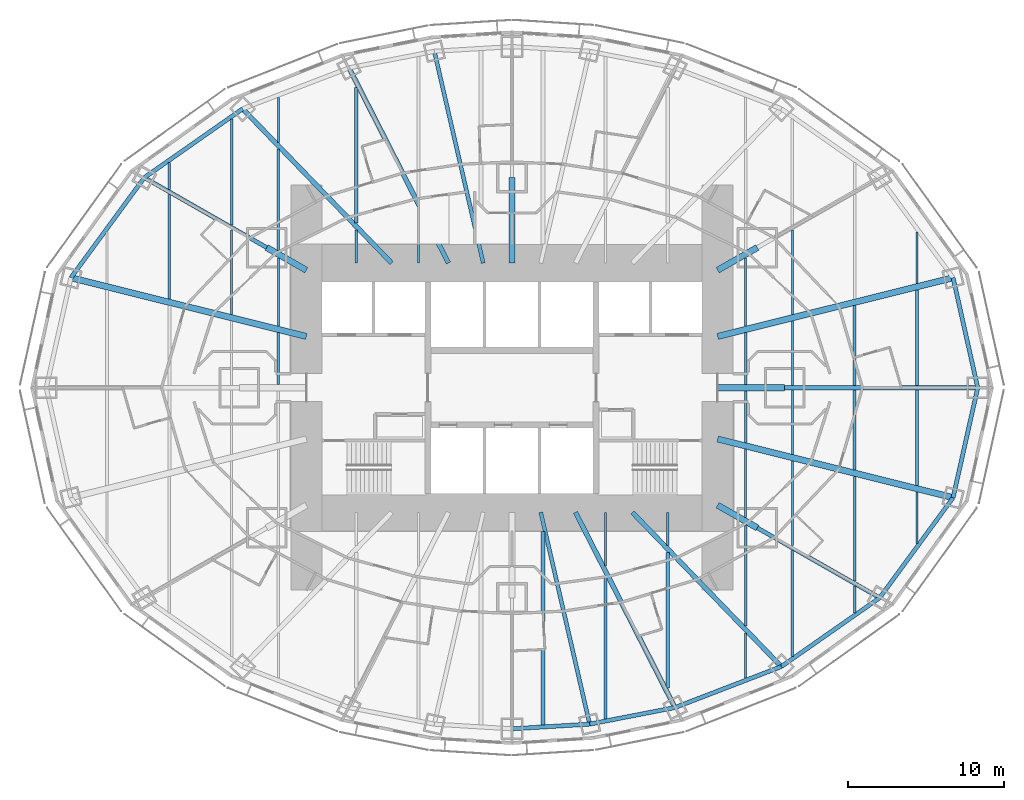
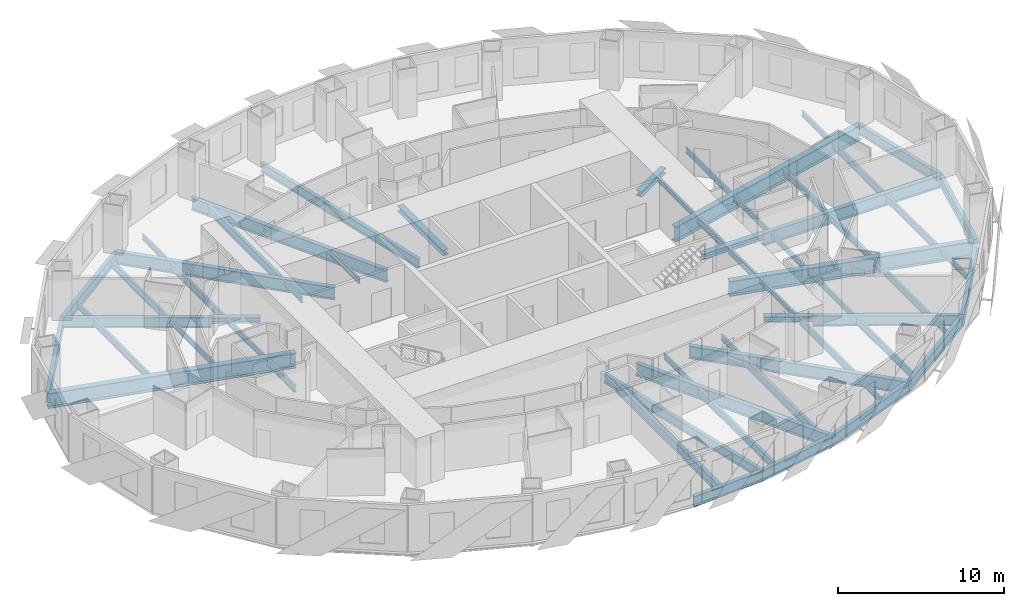
# One storey, part 2 of 15: 61 beams.
"""IFC4 building model written with IfcOpenShell, lengths in metres."""

from ifc_helpers import new_model, si_unit, direction, frame, origin, origin_2d, place, context, subcontext, project, spatial, i_section, extrude, material, material_profile, profile_set, type_object, element, save


model = new_model("IFC4")

# Units and contexts
model_context = context("Model", 3, precision=1e-05, world=origin(), true_north=direction((0.0, 1.0)))
body_context = subcontext(model_context, "Body", "Model", "MODEL_VIEW")
ifc_project = project(units=[si_unit("LENGTHUNIT", "METRE"), si_unit("AREAUNIT", "SQUARE_METRE"), si_unit("VOLUMEUNIT", "CUBIC_METRE"), si_unit("PLANEANGLEUNIT", "RADIAN"), si_unit("MASSUNIT", "GRAM", prefix="KILO")], contexts=[model_context])

# Site, building, storey
site_placement = place(None, origin())
site = spatial("IfcSite", under=ifc_project, at=site_placement, CompositionType="ELEMENT")
building_placement = place(site_placement, origin())
building = spatial("IfcBuilding", under=site, at=building_placement, Name="Lantaw Convention Tower", CompositionType="ELEMENT")
storey_placement = place(building_placement, frame((0.0, 0.0, 87.39990234375)))
storey = spatial("IfcBuildingStorey", under=building, at=storey_placement, Name="L20", CompositionType="ELEMENT", Elevation=87.39990234375)

# Beams
ifc_material = material(Name="Steel ASTM A992", Category="steel")
ifc_material_profile_1 = material_profile(ifc_material, i_section(OverallWidth=0.2666015625, OverallDepth=0.76953125, WebThickness=0.015625, FlangeThickness=0.025390625, FilletRadius=0.0126953125, at=origin_2d()), Name="W30X132")
ifc_profile_set_1 = profile_set([ifc_material_profile_1], Name="Steel ASTM A992")
beam_type_1 = type_object("IfcBeamType", Name="Beam E W30X132", PredefinedType="SPANDREL", material=ifc_profile_set_1)
beam_1_placement = place(storey_placement, frame((29.89990234375, 0.0, -0.53466796875), z_axis=(-0.218652184873, 0.975802860239, 0.0), x_axis=(-0.975802860239, -0.218652184873, 0.0)))
element("IfcBeam", 1, at=beam_1_placement, inside=storey, type_object=beam_type_1, Name="Edge beam 1", PredefinedType="SPANDREL", context=body_context, shape_type="SweptSolid", body=[
    extrude(i_section(OverallWidth=0.2666015625, OverallDepth=0.76953125, WebThickness=0.015625, FlangeThickness=0.025390625, FilletRadius=0.0126953125, at=origin_2d()), origin(), (0.0, 0.0, 1.0), 7.2353515625),
])
beam_2_placement = place(storey_placement, frame((-17.290771484375, 17.9052734375, -0.53466796875), z_axis=(-0.81942686407, -0.57318375277, 0.0), x_axis=(0.57318375277, -0.81942686407, 0.0)))
element("IfcBeam", 2, at=beam_2_placement, inside=storey, type_object=beam_type_1, Name="Edge beam 10", PredefinedType="SPANDREL", context=body_context, shape_type="SweptSolid", body=[
    extrude(i_section(OverallWidth=0.2666015625, OverallDepth=0.76953125, WebThickness=0.015625, FlangeThickness=0.025390625, FilletRadius=0.0126953125, at=origin_2d()), origin(), (0.0, 0.0, 1.0), 7.70556640625),
])
beam_3_placement = place(storey_placement, frame((-23.60498046875, 13.488525390625, -0.53466796875), z_axis=(-0.591270709086, -0.806473154281, 0.0), x_axis=(0.806473154281, -0.591270709086, 0.0)))
element("IfcBeam", 3, at=beam_3_placement, inside=storey, type_object=beam_type_1, Name="Edge beam 11", PredefinedType="SPANDREL", context=body_context, shape_type="SweptSolid", body=[
    extrude(i_section(OverallWidth=0.2666015625, OverallDepth=0.76953125, WebThickness=0.015625, FlangeThickness=0.025390625, FilletRadius=0.0126953125, at=origin_2d()), origin(), (0.0, 0.0, 1.0), 7.970703125),
])
beam_4_placement = place(storey_placement, frame((0.0, -21.89990234375, -0.53466796875), z_axis=(0.998173858406, 0.060406526096, 0.0), x_axis=(-0.060406526096, 0.998173858406, 0.0)))
element("IfcBeam", 4, at=beam_4_placement, inside=storey, type_object=beam_type_1, Name="Edge beam 19", PredefinedType="SPANDREL", context=body_context, shape_type="SweptSolid", body=[
    extrude(i_section(OverallWidth=0.2666015625, OverallDepth=0.76953125, WebThickness=0.015625, FlangeThickness=0.025390625, FilletRadius=0.0126953125, at=origin_2d()), origin(), (0.0, 0.0, 1.0), 4.995361328125),
])
beam_5_placement = place(storey_placement, frame((4.986328125, -21.59814453125, -0.53466796875), z_axis=(0.981636565323, 0.190760723474, 0.0), x_axis=(-0.190760723474, 0.981636565323, 0.0)))
element("IfcBeam", 5, at=beam_5_placement, inside=storey, type_object=beam_type_1, Name="Edge beam 20", PredefinedType="SPANDREL", context=body_context, shape_type="SweptSolid", body=[
    extrude(i_section(OverallWidth=0.2666015625, OverallDepth=0.76953125, WebThickness=0.015625, FlangeThickness=0.025390625, FilletRadius=0.0126953125, at=origin_2d()), origin(), (0.0, 0.0, 1.0), 5.578857421875),
])
beam_6_placement = place(storey_placement, frame((10.462646484375, -20.533935546875, -0.53466796875), z_axis=(0.933232900641, 0.359271976588, 0.0), x_axis=(-0.359271976588, 0.933232900641, 0.0)))
element("IfcBeam", 6, at=beam_6_placement, inside=storey, type_object=beam_type_1, Name="Edge beam 21", PredefinedType="SPANDREL", context=body_context, shape_type="SweptSolid", body=[
    extrude(i_section(OverallWidth=0.2666015625, OverallDepth=0.76953125, WebThickness=0.015625, FlangeThickness=0.025390625, FilletRadius=0.0126953125, at=origin_2d()), origin(), (0.0, 0.0, 1.0), 7.316650390625),
])
beam_7_placement = place(storey_placement, frame((17.290771484375, -17.9052734375, -0.53466796875), z_axis=(0.81942686407, 0.57318375277, 0.0), x_axis=(-0.57318375277, 0.81942686407, 0.0)))
element("IfcBeam", 7, at=beam_7_placement, inside=storey, type_object=beam_type_1, Name="Edge beam 22", PredefinedType="SPANDREL", context=body_context, shape_type="SweptSolid", body=[
    extrude(i_section(OverallWidth=0.2666015625, OverallDepth=0.76953125, WebThickness=0.015625, FlangeThickness=0.025390625, FilletRadius=0.0126953125, at=origin_2d()), origin(), (0.0, 0.0, 1.0), 7.70556640625),
])
beam_8_placement = place(storey_placement, frame((23.60498046875, -13.488525390625, -0.53466796875), z_axis=(0.591270709086, 0.806473154281, 0.0), x_axis=(-0.806473154281, 0.591270709086, 0.0)))
element("IfcBeam", 8, at=beam_8_placement, inside=storey, type_object=beam_type_1, Name="Edge beam 23", PredefinedType="SPANDREL", context=body_context, shape_type="SweptSolid", body=[
    extrude(i_section(OverallWidth=0.2666015625, OverallDepth=0.76953125, WebThickness=0.015625, FlangeThickness=0.025390625, FilletRadius=0.0126953125, at=origin_2d()), origin(), (0.0, 0.0, 1.0), 7.970703125),
])
beam_9_placement = place(storey_placement, frame((28.31787109375, -7.060302734375, -0.53466796875), z_axis=(0.218652184873, 0.975802860239, 0.0), x_axis=(-0.975802860239, 0.218652184873, 0.0)))
element("IfcBeam", 9, at=beam_9_placement, inside=storey, type_object=beam_type_1, Name="Edge beam 24", PredefinedType="SPANDREL", context=body_context, shape_type="SweptSolid", body=[
    extrude(i_section(OverallWidth=0.2666015625, OverallDepth=0.76953125, WebThickness=0.015625, FlangeThickness=0.025390625, FilletRadius=0.0126953125, at=origin_2d()), origin(), (0.0, 0.0, 1.0), 7.2353515625),
])
ifc_material_profile_2 = material_profile(ifc_material, i_section(OverallWidth=0.25390625, OverallDepth=0.683349609375, WebThickness=0.012451171875, FlangeThickness=0.01904296875, FilletRadius=0.01513671875, at=origin_2d()), Name="W27X94")
ifc_profile_set_2 = profile_set([ifc_material_profile_2], Name="Steel ASTM A992")
beam_type_2 = type_object("IfcBeamType", Name="Beam G W27X94", PredefinedType="BEAM", material=ifc_profile_set_2)
for number, where, z_axis, x_axis, name in (
    (10, (-1.846923828125, 8.0, -0.491455078125), (-0.224952773175, 0.97436966796, 0.0), (-0.97436966796, -0.224952773175, 0.0), "Floor girder on ray 8"),
    (11, (1.846923828125, -8.0, -0.491455078125), (0.224952773175, -0.97436966796, 0.0), (0.97436966796, 0.224952773175, 0.0), "Floor girder on ray 20"),
):
    element("IfcBeam", number, at=place(storey_placement, frame(where, z_axis=z_axis, x_axis=x_axis)), inside=storey, type_object=beam_type_2, Name=name, PredefinedType="BEAM", context=body_context, shape_type="SweptSolid", body=[
        extrude(i_section(OverallWidth=0.25390625, OverallDepth=0.683349609375, WebThickness=0.012451171875, FlangeThickness=0.01904296875, FilletRadius=0.01513671875, at=origin_2d()), origin(), (0.0, 0.0, 1.0), 13.955810546875),
    ])
ifc_material_profile_3 = material_profile(ifc_material, i_section(OverallWidth=0.2666015625, OverallDepth=0.7568359375, WebThickness=0.013916015625, FlangeThickness=0.019287109375, FilletRadius=0.0126953125, at=origin_2d()), Name="W30X108")
ifc_profile_set_3 = profile_set([ifc_material_profile_3], Name="Steel ASTM A992")
beam_type_3 = type_object("IfcBeamType", Name="Beam G W30X108", PredefinedType="BEAM", material=ifc_profile_set_3)
for number, where, z_axis, x_axis, name in (
    (12, (-15.75, 9.0, -0.5283203125), (-0.868244802791, 0.496136032179, 0.0), (-0.496136032179, -0.868244802791, 0.0), "Floor girder on ray 11"),
    (13, (15.75, -9.0, -0.5283203125), (0.868244802791, -0.496136032179, 0.0), (0.496136032179, 0.868244802791, 0.0), "Floor girder on ray 23"),
):
    element("IfcBeam", number, at=place(storey_placement, frame(where, z_axis=z_axis, x_axis=x_axis)), inside=storey, type_object=beam_type_3, Name=name, PredefinedType="BEAM", context=body_context, shape_type="SweptSolid", body=[
        extrude(i_section(OverallWidth=0.2666015625, OverallDepth=0.7568359375, WebThickness=0.013916015625, FlangeThickness=0.019287109375, FilletRadius=0.0126953125, at=origin_2d()), origin(), (0.0, 0.0, 1.0), 9.046875),
    ])
ifc_material_profile_4 = material_profile(ifc_material, i_section(OverallWidth=0.307373046875, OverallDepth=0.922119140625, WebThickness=0.018310546875, FlangeThickness=0.030029296875, FilletRadius=0.0126953125, at=origin_2d()), Name="W36X182")
ifc_profile_set_4 = profile_set([ifc_material_profile_4], Name="Steel ASTM A992")
beam_type_4 = type_object("IfcBeamType", Name="Beam G W36X182", PredefinedType="BEAM", material=ifc_profile_set_4)
beam_10_placement = place(storey_placement, frame((17.5, 0.0, -0.61083984375), z_axis=(1.0, 0.0, 0.0), x_axis=(0.0, 1.0, 0.0)))
element("IfcBeam", 14, at=beam_10_placement, inside=storey, type_object=beam_type_4, Name="Floor girder on ray 1", PredefinedType="BEAM", context=body_context, shape_type="SweptSolid", body=[
    extrude(i_section(OverallWidth=0.307373046875, OverallDepth=0.922119140625, WebThickness=0.018310546875, FlangeThickness=0.030029296875, FilletRadius=0.0126953125, at=origin_2d()), origin(), (0.0, 0.0, 1.0), 12.39990234375),
])
beam_11_placement = place(storey_placement, frame((-4.076171875, 8.0, -0.61083984375), z_axis=(-0.453997016122, 0.891003203896, 0.0), x_axis=(-0.891003203896, -0.453997016122, 0.0)))
element("IfcBeam", 15, at=beam_11_placement, inside=storey, type_object=beam_type_4, Name="Floor girder on ray 9", PredefinedType="BEAM", context=body_context, shape_type="SweptSolid", body=[
    extrude(i_section(OverallWidth=0.307373046875, OverallDepth=0.922119140625, WebThickness=0.018310546875, FlangeThickness=0.030029296875, FilletRadius=0.0126953125, at=origin_2d()), origin(), (0.0, 0.0, 1.0), 14.067138671875),
])
beam_12_placement = place(storey_placement, frame((-7.7255859375, 8.0, -0.61083984375), z_axis=(-0.694649884291, 0.719347995239, 0.0), x_axis=(-0.719347995239, -0.694649884291, 0.0)))
element("IfcBeam", 16, at=beam_12_placement, inside=storey, type_object=beam_type_4, Name="Floor girder on ray 10", PredefinedType="BEAM", context=body_context, shape_type="SweptSolid", body=[
    extrude(i_section(OverallWidth=0.307373046875, OverallDepth=0.922119140625, WebThickness=0.018310546875, FlangeThickness=0.030029296875, FilletRadius=0.0126953125, at=origin_2d()), origin(), (0.0, 0.0, 1.0), 13.769775390625),
])
beam_13_placement = place(storey_placement, frame((4.076171875, -8.0, -0.61083984375), z_axis=(0.453997016122, -0.891003203896, 0.0), x_axis=(0.891003203896, 0.453997016122, 0.0)))
element("IfcBeam", 17, at=beam_13_placement, inside=storey, type_object=beam_type_4, Name="Floor girder on ray 21", PredefinedType="BEAM", context=body_context, shape_type="SweptSolid", body=[
    extrude(i_section(OverallWidth=0.307373046875, OverallDepth=0.922119140625, WebThickness=0.018310546875, FlangeThickness=0.030029296875, FilletRadius=0.0126953125, at=origin_2d()), origin(), (0.0, 0.0, 1.0), 14.067138671875),
])
beam_14_placement = place(storey_placement, frame((7.7255859375, -8.0, -0.61083984375), z_axis=(0.694649884291, -0.719347995239, 0.0), x_axis=(0.719347995239, 0.694649884291, 0.0)))
element("IfcBeam", 18, at=beam_14_placement, inside=storey, type_object=beam_type_4, Name="Floor girder on ray 22", PredefinedType="BEAM", context=body_context, shape_type="SweptSolid", body=[
    extrude(i_section(OverallWidth=0.307373046875, OverallDepth=0.922119140625, WebThickness=0.018310546875, FlangeThickness=0.030029296875, FilletRadius=0.0126953125, at=origin_2d()), origin(), (0.0, 0.0, 1.0), 13.769775390625),
])
ifc_material_profile_5 = material_profile(ifc_material, i_section(OverallWidth=0.40380859375, OverallDepth=1.11767578125, WebThickness=0.026123046875, FlangeThickness=0.044921875, FilletRadius=0.02001953125, at=origin_2d()), Name="W44X335")
ifc_profile_set_5 = profile_set([ifc_material_profile_5], Name="Steel ASTM A992")
beam_type_5 = type_object("IfcBeamType", Name="Beam G W44X335", PredefinedType="BEAM", material=ifc_profile_set_5)
for number, where, z_axis, x_axis, name in (
    (19, (13.199951171875, 3.291015625, -0.708740234375), (0.970296233567, 0.241919860957, 0.0), (-0.241919860957, 0.970296233567, 0.0), "Floor girder on ray 2"),
    (20, (-13.199951171875, 3.291015625, -0.708740234375), (-0.970296233567, 0.241919860957, 0.0), (-0.241919860957, -0.970296233567, 0.0), "Floor girder on ray 12"),
    (21, (13.199951171875, -3.291015625, -0.708740234375), (0.970296233567, -0.241919860957, 0.0), (0.241919860957, 0.970296233567, 0.0), "Floor girder on ray 24"),
):
    element("IfcBeam", number, at=place(storey_placement, frame(where, z_axis=z_axis, x_axis=x_axis)), inside=storey, type_object=beam_type_5, Name=name, PredefinedType="BEAM", context=body_context, shape_type="SweptSolid", body=[
        extrude(i_section(OverallWidth=0.40380859375, OverallDepth=1.11767578125, WebThickness=0.026123046875, FlangeThickness=0.044921875, FilletRadius=0.02001953125, at=origin_2d()), origin(), (0.0, 0.0, 1.0), 15.580810546875),
    ])
ifc_material_profile_6 = material_profile(ifc_material, i_section(OverallWidth=0.40380859375, OverallDepth=0.406494140625, WebThickness=0.027099609375, FlangeThickness=0.043701171875, FilletRadius=0.01513671875, at=origin_2d()), Name="W14X233")
ifc_profile_set_6 = profile_set([ifc_material_profile_6], Name="Steel ASTM A992")
beam_type_6 = type_object("IfcBeamType", Name="Beam GM W14X233", PredefinedType="BEAM", material=ifc_profile_set_6)
beam_15_placement = place(storey_placement, frame((13.199951171875, 0.0, -0.35302734375), z_axis=(1.0, 0.0, 0.0), x_axis=(0.0, 1.0, 0.0)))
element("IfcBeam", 22, at=beam_15_placement, inside=storey, type_object=beam_type_6, Name="Core link beam on ray 1", PredefinedType="BEAM", context=body_context, shape_type="SweptSolid", body=[
    extrude(i_section(OverallWidth=0.40380859375, OverallDepth=0.406494140625, WebThickness=0.027099609375, FlangeThickness=0.043701171875, FilletRadius=0.01513671875, at=origin_2d()), origin(), (0.0, 0.0, 1.0), 4.300048828125),
])
beam_16_placement = place(storey_placement, frame((13.199951171875, 7.54296875, -0.35302734375), z_axis=(0.868263603466, 0.496103129295, 0.0), x_axis=(-0.496103129295, 0.868263603466, 0.0)))
element("IfcBeam", 23, at=beam_16_placement, inside=storey, type_object=beam_type_6, Name="Core link beam on ray 3", PredefinedType="BEAM", context=body_context, shape_type="SweptSolid", body=[
    extrude(i_section(OverallWidth=0.40380859375, OverallDepth=0.406494140625, WebThickness=0.027099609375, FlangeThickness=0.043701171875, FilletRadius=0.01513671875, at=origin_2d()), origin(), (0.0, 0.0, 1.0), 2.93701171875),
])
beam_17_placement = place(storey_placement, frame((0.0, 8.0, -0.35302734375), z_axis=(0.0, 1.0, 0.0), x_axis=(-1.0, 0.0, 0.0)))
element("IfcBeam", 24, at=beam_17_placement, inside=storey, type_object=beam_type_6, Name="Core link beam on ray 7", PredefinedType="BEAM", context=body_context, shape_type="SweptSolid", body=[
    extrude(i_section(OverallWidth=0.40380859375, OverallDepth=0.406494140625, WebThickness=0.027099609375, FlangeThickness=0.043701171875, FilletRadius=0.01513671875, at=origin_2d()), origin(), (0.0, 0.0, 1.0), 5.5),
])
for number, where, z_axis, x_axis, name in (
    (25, (-13.199951171875, 7.54296875, -0.35302734375), (-0.868263603466, 0.496103129295, 0.0), (-0.496103129295, -0.868263603466, 0.0), "Core link beam on ray 11"),
    (26, (13.199951171875, -7.54296875, -0.35302734375), (0.868263603466, -0.496103129295, 0.0), (0.496103129295, 0.868263603466, 0.0), "Core link beam on ray 23"),
):
    element("IfcBeam", number, at=place(storey_placement, frame(where, z_axis=z_axis, x_axis=x_axis)), inside=storey, type_object=beam_type_6, Name=name, PredefinedType="BEAM", context=body_context, shape_type="SweptSolid", body=[
        extrude(i_section(OverallWidth=0.40380859375, OverallDepth=0.406494140625, WebThickness=0.027099609375, FlangeThickness=0.043701171875, FilletRadius=0.01513671875, at=origin_2d()), origin(), (0.0, 0.0, 1.0), 2.93701171875),
    ])
ifc_material_profile_7 = material_profile(ifc_material, i_section(OverallWidth=0.140380859375, OverallDepth=0.40380859375, WebThickness=0.007080078125, FlangeThickness=0.01123046875, FilletRadius=0.01025390625, at=origin_2d()), Name="W16X31")
ifc_profile_set_7 = profile_set([ifc_material_profile_7], Name="Steel ASTM A992")
beam_type_7 = type_object("IfcBeamType", Name="Beam J W16X31", PredefinedType="JOIST", material=ifc_profile_set_7)
beam_18_placement = place(storey_placement, frame((-22.0, 12.72509765625, -0.351806640625), z_axis=(0.0, 1.0, 0.0), x_axis=(-1.0, 0.0, 0.0)))
element("IfcBeam", 27, at=beam_18_placement, inside=storey, type_object=beam_type_7, Name="Floor joist", PredefinedType="JOIST", context=body_context, shape_type="SweptSolid", body=[
    extrude(i_section(OverallWidth=0.140380859375, OverallDepth=0.40380859375, WebThickness=0.007080078125, FlangeThickness=0.01123046875, FilletRadius=0.01025390625, at=origin_2d()), origin(), (0.0, 0.0, 1.0), 1.723388671875),
])
beam_19_placement = place(storey_placement, frame((-18.0, 4.696044921875, -0.351806640625), z_axis=(0.0, 1.0, 0.0), x_axis=(-1.0, 0.0, 0.0)))
element("IfcBeam", 28, at=beam_19_placement, inside=storey, type_object=beam_type_7, Name="Floor joist", PredefinedType="JOIST", context=body_context, shape_type="SweptSolid", body=[
    extrude(i_section(OverallWidth=0.140380859375, OverallDepth=0.40380859375, WebThickness=0.007080078125, FlangeThickness=0.01123046875, FilletRadius=0.01025390625, at=origin_2d()), origin(), (0.0, 0.0, 1.0), 5.43603515625),
])
beam_20_placement = place(storey_placement, frame((-15.0, 3.947998046875, -0.351806640625), z_axis=(0.0, 1.0, 0.0), x_axis=(-1.0, 0.0, 0.0)))
element("IfcBeam", 29, at=beam_20_placement, inside=storey, type_object=beam_type_7, Name="Floor joist", PredefinedType="JOIST", context=body_context, shape_type="SweptSolid", body=[
    extrude(i_section(OverallWidth=0.140380859375, OverallDepth=0.40380859375, WebThickness=0.007080078125, FlangeThickness=0.01123046875, FilletRadius=0.01025390625, at=origin_2d()), origin(), (0.0, 0.0, 1.0), 4.390869140625),
])
beam_21_placement = place(storey_placement, frame((-15.0, 15.754150390625, -0.351806640625), z_axis=(0.0, 1.0, 0.0), x_axis=(-1.0, 0.0, 0.0)))
element("IfcBeam", 30, at=beam_21_placement, inside=storey, type_object=beam_type_7, Name="Floor joist", PredefinedType="JOIST", context=body_context, shape_type="SweptSolid", body=[
    extrude(i_section(OverallWidth=0.140380859375, OverallDepth=0.40380859375, WebThickness=0.007080078125, FlangeThickness=0.01123046875, FilletRadius=0.01025390625, at=origin_2d()), origin(), (0.0, 0.0, 1.0), 2.89013671875),
])
beam_22_placement = place(storey_placement, frame((-10.0, 8.0, -0.351806640625), z_axis=(0.0, 1.0, 0.0), x_axis=(-1.0, 0.0, 0.0)))
element("IfcBeam", 31, at=beam_22_placement, inside=storey, type_object=beam_type_7, Name="Floor joist", PredefinedType="JOIST", context=body_context, shape_type="SweptSolid", body=[
    extrude(i_section(OverallWidth=0.140380859375, OverallDepth=0.40380859375, WebThickness=0.007080078125, FlangeThickness=0.01123046875, FilletRadius=0.01025390625, at=origin_2d()), origin(), (0.0, 0.0, 1.0), 2.134033203125),
])
for number, where, z_axis, x_axis, name in (
    (32, (-6.0, 8.0, -0.351806640625), (0.0, 1.0, 0.0), (-1.0, 0.0, 0.0), "Floor joist"),
    (33, (6.0, -11.437255859375, -0.351806640625), (0.0, 1.0, 0.0), (-1.0, 0.0, 0.0), "Floor joist"),
):
    element("IfcBeam", number, at=place(storey_placement, frame(where, z_axis=z_axis, x_axis=x_axis)), inside=storey, type_object=beam_type_7, Name=name, PredefinedType="JOIST", context=body_context, shape_type="SweptSolid", body=[
        extrude(i_section(OverallWidth=0.140380859375, OverallDepth=0.40380859375, WebThickness=0.007080078125, FlangeThickness=0.01123046875, FilletRadius=0.01025390625, at=origin_2d()), origin(), (0.0, 0.0, 1.0), 3.437255859375),
    ])
beam_23_placement = place(storey_placement, frame((10.0, -10.134033203125, -0.351806640625), z_axis=(0.0, 1.0, 0.0), x_axis=(-1.0, 0.0, 0.0)))
element("IfcBeam", 34, at=beam_23_placement, inside=storey, type_object=beam_type_7, Name="Floor joist", PredefinedType="JOIST", context=body_context, shape_type="SweptSolid", body=[
    extrude(i_section(OverallWidth=0.140380859375, OverallDepth=0.40380859375, WebThickness=0.007080078125, FlangeThickness=0.01123046875, FilletRadius=0.01025390625, at=origin_2d()), origin(), (0.0, 0.0, 1.0), 2.134033203125),
])
beam_24_placement = place(storey_placement, frame((15.0, -18.644287109375, -0.351806640625), z_axis=(0.0, 1.0, 0.0), x_axis=(-1.0, 0.0, 0.0)))
element("IfcBeam", 35, at=beam_24_placement, inside=storey, type_object=beam_type_7, Name="Floor joist", PredefinedType="JOIST", context=body_context, shape_type="SweptSolid", body=[
    extrude(i_section(OverallWidth=0.140380859375, OverallDepth=0.40380859375, WebThickness=0.007080078125, FlangeThickness=0.01123046875, FilletRadius=0.01025390625, at=origin_2d()), origin(), (0.0, 0.0, 1.0), 2.89013671875),
])
for number, where, z_axis, x_axis, name in (
    (36, (15.0, -8.3388671875, -0.351806640625), (0.0, 1.0, 0.0), (-1.0, 0.0, 0.0), "Floor joist"),
    (37, (15.0, 3.947998046875, -0.351806640625), (0.0, 1.0, 0.0), (-1.0, 0.0, 0.0), "Floor joist"),
):
    element("IfcBeam", number, at=place(storey_placement, frame(where, z_axis=z_axis, x_axis=x_axis)), inside=storey, type_object=beam_type_7, Name=name, PredefinedType="JOIST", context=body_context, shape_type="SweptSolid", body=[
        extrude(i_section(OverallWidth=0.140380859375, OverallDepth=0.40380859375, WebThickness=0.007080078125, FlangeThickness=0.01123046875, FilletRadius=0.01025390625, at=origin_2d()), origin(), (0.0, 0.0, 1.0), 4.390869140625),
    ])
beam_25_placement = place(storey_placement, frame((18.0, -10.132080078125, -0.351806640625), z_axis=(0.0, 1.0, 0.0), x_axis=(-1.0, 0.0, 0.0)))
element("IfcBeam", 38, at=beam_25_placement, inside=storey, type_object=beam_type_7, Name="Floor joist", PredefinedType="JOIST", context=body_context, shape_type="SweptSolid", body=[
    extrude(i_section(OverallWidth=0.140380859375, OverallDepth=0.40380859375, WebThickness=0.007080078125, FlangeThickness=0.01123046875, FilletRadius=0.01025390625, at=origin_2d()), origin(), (0.0, 0.0, 1.0), 5.43603515625),
])
for number, where, z_axis, x_axis, name in (
    (39, (18.0, -4.27978515625, -0.351806640625), (0.0, 1.0, 0.0), (-1.0, 0.0, 0.0), "Floor joist"),
    (40, (18.0, 0.153564453125, -0.351806640625), (0.0, 1.0, 0.0), (-1.0, 0.0, 0.0), "Floor joist"),
):
    element("IfcBeam", number, at=place(storey_placement, frame(where, z_axis=z_axis, x_axis=x_axis)), inside=storey, type_object=beam_type_7, Name=name, PredefinedType="JOIST", context=body_context, shape_type="SweptSolid", body=[
        extrude(i_section(OverallWidth=0.140380859375, OverallDepth=0.40380859375, WebThickness=0.007080078125, FlangeThickness=0.01123046875, FilletRadius=0.01025390625, at=origin_2d()), origin(), (0.0, 0.0, 1.0), 4.126220703125),
    ])
beam_26_placement = place(storey_placement, frame((18.0, 4.696044921875, -0.351806640625), z_axis=(0.0, 1.0, 0.0), x_axis=(-1.0, 0.0, 0.0)))
element("IfcBeam", 41, at=beam_26_placement, inside=storey, type_object=beam_type_7, Name="Floor joist", PredefinedType="JOIST", context=body_context, shape_type="SweptSolid", body=[
    extrude(i_section(OverallWidth=0.140380859375, OverallDepth=0.40380859375, WebThickness=0.007080078125, FlangeThickness=0.01123046875, FilletRadius=0.01025390625, at=origin_2d()), origin(), (0.0, 0.0, 1.0), 5.43603515625),
])
beam_27_placement = place(storey_placement, frame((22.0, -14.448486328125, -0.351806640625), z_axis=(0.0, 1.0, 0.0), x_axis=(-1.0, 0.0, 0.0)))
element("IfcBeam", 42, at=beam_27_placement, inside=storey, type_object=beam_type_7, Name="Floor joist", PredefinedType="JOIST", context=body_context, shape_type="SweptSolid", body=[
    extrude(i_section(OverallWidth=0.140380859375, OverallDepth=0.40380859375, WebThickness=0.007080078125, FlangeThickness=0.01123046875, FilletRadius=0.01025390625, at=origin_2d()), origin(), (0.0, 0.0, 1.0), 1.723388671875),
])
for number, where, z_axis, x_axis, name in (
    (43, (26.0, -9.996337890625, -0.351806640625), (0.0, 1.0, 0.0), (-1.0, 0.0, 0.0), "Floor joist"),
    (44, (26.0, 6.690673828125, -0.351806640625), (0.0, 1.0, 0.0), (-1.0, 0.0, 0.0), "Floor joist"),
):
    element("IfcBeam", number, at=place(storey_placement, frame(where, z_axis=z_axis, x_axis=x_axis)), inside=storey, type_object=beam_type_7, Name=name, PredefinedType="JOIST", context=body_context, shape_type="SweptSolid", body=[
        extrude(i_section(OverallWidth=0.140380859375, OverallDepth=0.40380859375, WebThickness=0.007080078125, FlangeThickness=0.01123046875, FilletRadius=0.01025390625, at=origin_2d()), origin(), (0.0, 0.0, 1.0), 3.3056640625),
    ])
ifc_material_profile_8 = material_profile(ifc_material, i_section(OverallWidth=0.1904296875, OverallDepth=0.457275390625, WebThickness=0.009033203125, FlangeThickness=0.014404296875, FilletRadius=0.01025390625, at=origin_2d()), Name="W18X50")
ifc_profile_set_8 = profile_set([ifc_material_profile_8], Name="Steel ASTM A992")
beam_type_8 = type_object("IfcBeamType", Name="Beam J W18X50", PredefinedType="JOIST", material=ifc_profile_set_8)
for number, where, z_axis, x_axis, name in (
    (45, (22.0, -5.277099609375, -0.37841796875), (0.0, 1.0, 0.0), (-1.0, 0.0, 0.0), "Floor joist"),
    (46, (22.0, 0.153564453125, -0.37841796875), (0.0, 1.0, 0.0), (-1.0, 0.0, 0.0), "Floor joist"),
):
    element("IfcBeam", number, at=place(storey_placement, frame(where, z_axis=z_axis, x_axis=x_axis)), inside=storey, type_object=beam_type_8, Name=name, PredefinedType="JOIST", context=body_context, shape_type="SweptSolid", body=[
        extrude(i_section(OverallWidth=0.1904296875, OverallDepth=0.457275390625, WebThickness=0.009033203125, FlangeThickness=0.014404296875, FilletRadius=0.01025390625, at=origin_2d()), origin(), (0.0, 0.0, 1.0), 5.12353515625),
    ])
ifc_material_profile_9 = material_profile(ifc_material, i_section(OverallWidth=0.1650390625, OverallDepth=0.52587890625, WebThickness=0.0087890625, FlangeThickness=0.011474609375, FilletRadius=0.0126953125, at=origin_2d()), Name="W21X44")
ifc_profile_set_9 = profile_set([ifc_material_profile_9], Name="Steel ASTM A992")
beam_type_9 = type_object("IfcBeamType", Name="Beam J W21X44", PredefinedType="JOIST", material=ifc_profile_set_9)
beam_28_placement = place(storey_placement, frame((-22.0, 5.693359375, -0.412841796875), z_axis=(0.0, 1.0, 0.0), x_axis=(-1.0, 0.0, 0.0)))
element("IfcBeam", 47, at=beam_28_placement, inside=storey, type_object=beam_type_9, Name="Floor joist", PredefinedType="JOIST", context=body_context, shape_type="SweptSolid", body=[
    extrude(i_section(OverallWidth=0.1650390625, OverallDepth=0.52587890625, WebThickness=0.0087890625, FlangeThickness=0.011474609375, FilletRadius=0.0126953125, at=origin_2d()), origin(), (0.0, 0.0, 1.0), 6.724609375),
])
beam_29_placement = place(storey_placement, frame((-18.0, 10.439208984375, -0.412841796875), z_axis=(0.0, 1.0, 0.0), x_axis=(-1.0, 0.0, 0.0)))
element("IfcBeam", 48, at=beam_29_placement, inside=storey, type_object=beam_type_9, Name="Floor joist", PredefinedType="JOIST", context=body_context, shape_type="SweptSolid", body=[
    extrude(i_section(OverallWidth=0.1650390625, OverallDepth=0.52587890625, WebThickness=0.0087890625, FlangeThickness=0.011474609375, FilletRadius=0.0126953125, at=origin_2d()), origin(), (0.0, 0.0, 1.0), 6.80712890625),
])
for number, where, z_axis, x_axis, name in (
    (49, (-15.0, 8.803955078125, -0.412841796875), (0.0, 1.0, 0.0), (-1.0, 0.0, 0.0), "Floor joist"),
    (50, (15.0, -15.311767578125, -0.412841796875), (0.0, 1.0, 0.0), (-1.0, 0.0, 0.0), "Floor joist"),
):
    element("IfcBeam", number, at=place(storey_placement, frame(where, z_axis=z_axis, x_axis=x_axis)), inside=storey, type_object=beam_type_9, Name=name, PredefinedType="JOIST", context=body_context, shape_type="SweptSolid", body=[
        extrude(i_section(OverallWidth=0.1650390625, OverallDepth=0.52587890625, WebThickness=0.0087890625, FlangeThickness=0.011474609375, FilletRadius=0.0126953125, at=origin_2d()), origin(), (0.0, 0.0, 1.0), 6.5078125),
    ])
beam_30_placement = place(storey_placement, frame((18.0, -17.246337890625, -0.412841796875), z_axis=(0.0, 1.0, 0.0), x_axis=(-1.0, 0.0, 0.0)))
element("IfcBeam", 51, at=beam_30_placement, inside=storey, type_object=beam_type_9, Name="Floor joist", PredefinedType="JOIST", context=body_context, shape_type="SweptSolid", body=[
    extrude(i_section(OverallWidth=0.1650390625, OverallDepth=0.52587890625, WebThickness=0.0087890625, FlangeThickness=0.011474609375, FilletRadius=0.0126953125, at=origin_2d()), origin(), (0.0, 0.0, 1.0), 6.80712890625),
])
beam_31_placement = place(storey_placement, frame((22.0, -12.41796875, -0.412841796875), z_axis=(0.0, 1.0, 0.0), x_axis=(-1.0, 0.0, 0.0)))
element("IfcBeam", 52, at=beam_31_placement, inside=storey, type_object=beam_type_9, Name="Floor joist", PredefinedType="JOIST", context=body_context, shape_type="SweptSolid", body=[
    extrude(i_section(OverallWidth=0.1650390625, OverallDepth=0.52587890625, WebThickness=0.0087890625, FlangeThickness=0.011474609375, FilletRadius=0.0126953125, at=origin_2d()), origin(), (0.0, 0.0, 1.0), 6.724609375),
])
ifc_material_profile_10 = material_profile(ifc_material, i_section(OverallWidth=0.165771484375, OverallDepth=0.5283203125, WebThickness=0.009765625, FlangeThickness=0.013671875, FilletRadius=0.012939453125, at=origin_2d()), Name="W21X50")
ifc_profile_set_10 = profile_set([ifc_material_profile_10], Name="Steel ASTM A992")
beam_type_10 = type_object("IfcBeamType", Name="Beam J W21X50", PredefinedType="JOIST", material=ifc_profile_set_10)
for number, where, z_axis, x_axis, name in (
    (53, (-15.0, 0.201904296875, -0.4140625), (0.0, 1.0, 0.0), (-1.0, 0.0, 0.0), "Floor joist"),
    (54, (15.0, -3.53173828125, -0.4140625), (0.0, 1.0, 0.0), (-1.0, 0.0, 0.0), "Floor joist"),
    (55, (15.0, 0.201904296875, -0.4140625), (0.0, 1.0, 0.0), (-1.0, 0.0, 0.0), "Floor joist"),
):
    element("IfcBeam", number, at=place(storey_placement, frame(where, z_axis=z_axis, x_axis=x_axis)), inside=storey, type_object=beam_type_10, Name=name, PredefinedType="JOIST", context=body_context, shape_type="SweptSolid", body=[
        extrude(i_section(OverallWidth=0.165771484375, OverallDepth=0.5283203125, WebThickness=0.009765625, FlangeThickness=0.013671875, FilletRadius=0.012939453125, at=origin_2d()), origin(), (0.0, 0.0, 1.0), 3.329833984375),
    ])
for number, where, z_axis, x_axis, name in (
    (56, (26.0, -6.2744140625, -0.4140625), (0.0, 1.0, 0.0), (-1.0, 0.0, 0.0), "Floor joist"),
    (57, (26.0, 0.153564453125, -0.4140625), (0.0, 1.0, 0.0), (-1.0, 0.0, 0.0), "Floor joist"),
):
    element("IfcBeam", number, at=place(storey_placement, frame(where, z_axis=z_axis, x_axis=x_axis)), inside=storey, type_object=beam_type_10, Name=name, PredefinedType="JOIST", context=body_context, shape_type="SweptSolid", body=[
        extrude(i_section(OverallWidth=0.165771484375, OverallDepth=0.5283203125, WebThickness=0.009765625, FlangeThickness=0.013671875, FilletRadius=0.012939453125, at=origin_2d()), origin(), (0.0, 0.0, 1.0), 6.120849609375),
    ])
ifc_material_profile_11 = material_profile(ifc_material, i_section(OverallWidth=0.2099609375, OverallDepth=0.535888671875, WebThickness=0.010986328125, FlangeThickness=0.017333984375, FilletRadius=0.012939453125, at=origin_2d()), Name="W21X68")
ifc_profile_set_11 = profile_set([ifc_material_profile_11], Name="Steel ASTM A992")
beam_type_11 = type_object("IfcBeamType", Name="Beam J W21X68", PredefinedType="JOIST", material=ifc_profile_set_11)
beam_32_placement = place(storey_placement, frame((6.0, -21.26513671875, -0.41796875), z_axis=(0.0, 1.0, 0.0), x_axis=(-1.0, 0.0, 0.0)))
element("IfcBeam", 58, at=beam_32_placement, inside=storey, type_object=beam_type_11, Name="Floor joist", PredefinedType="JOIST", context=body_context, shape_type="SweptSolid", body=[
    extrude(i_section(OverallWidth=0.2099609375, OverallDepth=0.535888671875, WebThickness=0.010986328125, FlangeThickness=0.017333984375, FilletRadius=0.012939453125, at=origin_2d()), origin(), (0.0, 0.0, 1.0), 9.15087890625),
])
ifc_material_profile_12 = material_profile(ifc_material, i_section(OverallWidth=0.227783203125, OverallDepth=0.60205078125, WebThickness=0.010498046875, FlangeThickness=0.014892578125, FilletRadius=0.012939453125, at=origin_2d()), Name="W24X68")
ifc_profile_set_12 = profile_set([ifc_material_profile_12], Name="Steel ASTM A992")
beam_type_12 = type_object("IfcBeamType", Name="Beam J W24X68", PredefinedType="JOIST", material=ifc_profile_set_12)
for number, where, z_axis, x_axis, name in (
    (59, (-10.0, 10.576416015625, -0.450927734375), (0.0, 1.0, 0.0), (-1.0, 0.0, 0.0), "Floor joist"),
    (60, (10.0, -19.28759765625, -0.450927734375), (0.0, 1.0, 0.0), (-1.0, 0.0, 0.0), "Floor joist"),
):
    element("IfcBeam", number, at=place(storey_placement, frame(where, z_axis=z_axis, x_axis=x_axis)), inside=storey, type_object=beam_type_12, Name=name, PredefinedType="JOIST", context=body_context, shape_type="SweptSolid", body=[
        extrude(i_section(OverallWidth=0.227783203125, OverallDepth=0.60205078125, WebThickness=0.010498046875, FlangeThickness=0.014892578125, FilletRadius=0.012939453125, at=origin_2d()), origin(), (0.0, 0.0, 1.0), 8.711181640625),
    ])
ifc_material_profile_13 = material_profile(ifc_material, i_section(OverallWidth=0.25390625, OverallDepth=0.700927734375, WebThickness=0.015380859375, FlangeThickness=0.02783203125, FilletRadius=0.01513671875, at=origin_2d()), Name="W27X129")
ifc_profile_set_13 = profile_set([ifc_material_profile_13], Name="Steel ASTM A992")
beam_type_13 = type_object("IfcBeamType", Name="Beam J W27X129", PredefinedType="JOIST", material=ifc_profile_set_13)
beam_33_placement = place(storey_placement, frame((2.0, -21.645263671875, -0.50048828125), z_axis=(0.0, 1.0, 0.0), x_axis=(-1.0, 0.0, 0.0)))
element("IfcBeam", 61, at=beam_33_placement, inside=storey, type_object=beam_type_13, Name="Floor joist", PredefinedType="JOIST", context=body_context, shape_type="SweptSolid", body=[
    extrude(i_section(OverallWidth=0.25390625, OverallDepth=0.700927734375, WebThickness=0.015380859375, FlangeThickness=0.02783203125, FilletRadius=0.01513671875, at=origin_2d()), origin(), (0.0, 0.0, 1.0), 12.417724609375),
])

save(model, "model.ifc")
